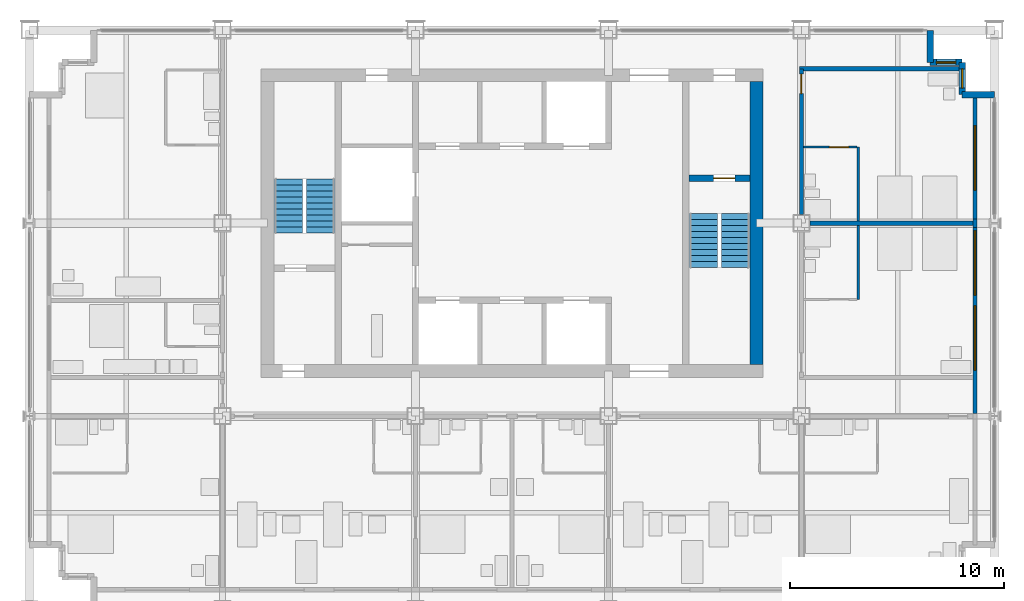
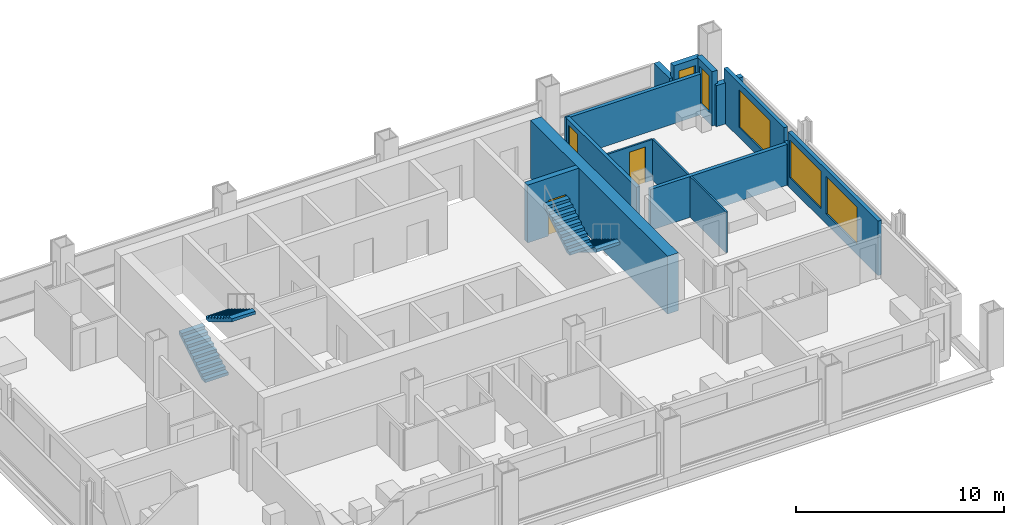
# One storey, part 10 of 13: 15 walls, 5 windows, 4 stair flights, 3 doors, 8 openings, 2 elements without a shape of their own.
"""IFC4 building model written with IfcOpenShell, lengths in metres."""

from ifc_helpers import new_model, si_unit, direction, frame, frame_2d, origin, place, context, subcontext, project, spatial, polyline, rectangle, outline, extrude, material, layer, layer_set, type_object, element, fill, aggregate, save


model = new_model("IFC4")

# Units and contexts
model_context = context("Model", 3, precision=1e-05, world=origin(), true_north=direction((0.0, 1.0)))
body_context = subcontext(model_context, "Body", "Model", "MODEL_VIEW")
ifc_project = project(units=[si_unit("LENGTHUNIT", "METRE"), si_unit("AREAUNIT", "SQUARE_METRE"), si_unit("VOLUMEUNIT", "CUBIC_METRE"), si_unit("PLANEANGLEUNIT", "RADIAN"), si_unit("MASSUNIT", "GRAM", prefix="KILO")], contexts=[model_context])

# Site, building, storey
site_placement = place(None, origin())
site = spatial("IfcSite", under=ifc_project, at=site_placement, CompositionType="ELEMENT")
building_placement = place(site_placement, origin())
building = spatial("IfcBuilding", under=site, at=building_placement, Name="Loomwork Tower", CompositionType="ELEMENT")
storey_placement = place(building_placement, frame((0.0, 0.0, 214.800048828125)))
storey = spatial("IfcBuildingStorey", under=building, at=storey_placement, Name="L59", CompositionType="ELEMENT", Elevation=214.800048828125)

# Wall, opening, door
ifc_material_1 = material(Name="Concrete 14000 psi (97 MPa)", Category="concrete")
ifc_layer_1 = layer(ifc_material_1, 0.300048828125)
ifc_layer_set_1 = layer_set([ifc_layer_1], Name="Core shear wall 300")
wall_type_1 = type_object("IfcWallType", Name="Core shear wall 300", PredefinedType="SHEAR", material=ifc_layer_set_1)
wall_1_placement = place(storey_placement, frame((30.75, 20.10009765625, 0.0), z_axis=(0.0, 0.0, 1.0), x_axis=(1.0, 0.0, 0.0)))
wall_1 = element("IfcWall", 1, at=wall_1_placement, inside=storey, type_object=wall_type_1, Name="Stair B north wall L59", PredefinedType="SHEAR", context=body_context, shape_type="SweptSolid", body=[
    extrude(rectangle(XDim=2.85009765625, YDim=0.300048828125, at=frame_2d((1.425048828125, 0.0))), origin(), (0.0, 0.0, 1.0), 3.39990234375),
])
opening_1_placement = place(wall_1_placement, frame((1.14990234375, 0.0, 0.0)))
opening_1 = element("IfcOpeningElement", 2, at=opening_1_placement, cuts=wall_1, Name="Opening D4", PredefinedType="OPENING", context=body_context, shape_type="SweptSolid", body=[
    extrude(rectangle(XDim=1.0, YDim=2.10009765625, at=frame_2d((0.5, 1.050048828125))), frame((0.0, 0.159912109375, 0.0), z_axis=(0.0, -1.0, 0.0), x_axis=(1.0, 0.0, 0.0)), (0.0, 0.0, 1.0), 0.320068359375),
])
ifc_material_2 = material(Name="Hollow metal door and frame")
door_type_1 = type_object("IfcDoorType", Name="Stair door 1000", OperationType="SINGLE_SWING_RIGHT", PredefinedType="DOOR", material=ifc_material_2)
door_1_placement = place(opening_1_placement, frame((1.0, 0.0, 0.0), z_axis=(0.0, 0.0, 1.0), x_axis=(-1.0, 0.0, 0.0)))
door_1 = element("IfcDoor", 3, at=door_1_placement, inside=storey, type_object=door_type_1, Name="Stair B door", OperationType="SINGLE_SWING_LEFT", OverallHeight=2.10009765625, OverallWidth=1.0, PredefinedType="DOOR", context=body_context, shape_type="SweptSolid", body=[
    extrude(rectangle(XDim=1.0, YDim=2.10009765625, at=frame_2d((0.5, 1.050048828125))), frame((0.0, 0.02490234375, 0.0), z_axis=(0.0, -1.0, 0.0), x_axis=(1.0, 0.0, 0.0)), (0.0, 0.0, 1.0), 0.050048828125),
])
fill(opening_1, door_1)

# Wall
ifc_material_3 = material(Name="Concrete 14000 psi (97 MPa)", Category="concrete")
ifc_layer_2 = layer(ifc_material_3, 0.60009765625)
ifc_layer_set_2 = layer_set([ifc_layer_2], Name="Core shear wall 600")
wall_type_2 = type_object("IfcWallType", Name="Core shear wall 600", PredefinedType="SHEAR", material=ifc_layer_set_2)
wall_2_placement = place(storey_placement, frame((33.89990234375, 11.39990234375, 0.0), z_axis=(0.0, 0.0, 1.0), x_axis=(0.0, 1.0, 0.0)))
element("IfcWall", 4, at=wall_2_placement, inside=storey, type_object=wall_type_2, Name="Core wall east L59", PredefinedType="SHEAR", context=body_context, shape_type="SweptSolid", body=[
    extrude(rectangle(XDim=13.2001953125, YDim=0.60009765625, at=frame_2d((6.60009765625, 0.0))), origin(), (0.0, 0.0, 1.0), 3.39990234375),
])

# Wall, opening, door
ifc_material_4 = material(Name="Gypsum board on steel studs, one-hour", Category="steel")
ifc_layer_3 = layer(ifc_material_4, 0.199951171875)
ifc_layer_set_3 = layer_set([ifc_layer_3], Name="Corridor wall 200")
wall_type_3 = type_object("IfcWallType", Name="Corridor wall 200", PredefinedType="PARTITIONING", material=ifc_layer_set_3)
wall_3_placement = place(storey_placement, frame((36.0, 18.39990234375, 0.0), z_axis=(0.0, 0.0, 1.0), x_axis=(0.0, 1.0, 0.0)))
wall_3 = element("IfcWall", 5, at=wall_3_placement, inside=storey, type_object=wall_type_3, Name="East corridor wall 2", PredefinedType="PARTITIONING", context=body_context, shape_type="SweptSolid", body=[
    extrude(rectangle(XDim=6.800048828125, YDim=0.199951171875, at=frame_2d((3.39990234375, 0.0))), origin(), (0.0, 0.0, 1.0), 2.405029296875),
])
opening_2_placement = place(wall_3_placement, frame((5.64990234375, 0.0, 0.0)))
opening_2 = element("IfcOpeningElement", 6, at=opening_2_placement, cuts=wall_3, Name="Opening D1", PredefinedType="OPENING", context=body_context, shape_type="SweptSolid", body=[
    extrude(rectangle(XDim=0.89990234375, YDim=2.10009765625, at=frame_2d((0.449951171875, 1.050048828125))), frame((0.0, 0.10986328125, 0.0), z_axis=(0.0, -1.0, 0.0), x_axis=(1.0, 0.0, 0.0)), (0.0, 0.0, 1.0), 0.219970703125),
])
ifc_material_5 = material(Name="Hollow metal door and frame")
door_type_2 = type_object("IfcDoorType", Name="Guest room entry door 900", OperationType="SINGLE_SWING_LEFT", PredefinedType="DOOR", material=ifc_material_5)
door_2_placement = place(opening_2_placement, frame((0.89990234375, 0.0, 0.0), z_axis=(0.0, 0.0, 1.0), x_axis=(-1.0, 0.0, 0.0)))
door_2 = element("IfcDoor", 7, at=door_2_placement, inside=storey, type_object=door_type_2, Name="Guest room entry door L59 10", OperationType="SINGLE_SWING_LEFT", OverallHeight=2.10009765625, OverallWidth=0.89990234375, PredefinedType="DOOR", context=body_context, shape_type="SweptSolid", body=[
    extrude(rectangle(XDim=0.89990234375, YDim=2.10009765625, at=frame_2d((0.449951171875, 1.050048828125))), frame((0.0, 0.02490234375, 0.0), z_axis=(0.0, -1.0, 0.0), x_axis=(1.0, 0.0, 0.0)), (0.0, 0.0, 1.0), 0.050048828125),
])
fill(opening_2, door_2)

# Walls
wall_4_placement = place(storey_placement, frame((35.89990234375, 25.199951171875, 0.0), z_axis=(0.0, 0.0, 1.0), x_axis=(1.0, 0.0, 0.0)))
element("IfcWall", 8, at=wall_4_placement, inside=storey, type_object=wall_type_3, Name="East band end wall N", PredefinedType="PARTITIONING", context=body_context, shape_type="SweptSolid", body=[
    extrude(rectangle(XDim=7.4501953125, YDim=0.199951171875, at=frame_2d((3.72509765625, 0.0))), origin(), (0.0, 0.0, 1.0), 2.404052734375),
])
ifc_material_6 = material(Name="Cement board on steel studs", Category="steel")
ifc_layer_4 = layer(ifc_material_6, 0.10009765625)
ifc_layer_set_4 = layer_set([ifc_layer_4], Name="En-suite partition 100")
wall_type_4 = type_object("IfcWallType", Name="En-suite partition 100", PredefinedType="PARTITIONING", material=ifc_layer_set_4)
for number, where, z_axis, x_axis, name in (
    (9, (38.64990234375, 14.449951171875, 0.0), (0.0, 0.0, 1.0), (0.0, 1.0, 0.0), "En-suite wall L59 room 9"),
    (10, (38.64990234375, 18.10009765625, 0.0), (0.0, 0.0, 1.0), (0.0, 1.0, 0.0), "En-suite wall L59 room 10"),
):
    element("IfcWall", number, at=place(storey_placement, frame(where, z_axis=z_axis, x_axis=x_axis)), inside=storey, type_object=wall_type_4, Name=name, PredefinedType="PARTITIONING", context=body_context, shape_type="SweptSolid", body=[
        extrude(rectangle(XDim=3.449951171875, YDim=0.10009765625, at=frame_2d((1.72509765625, 0.0))), origin(), (0.0, 0.0, 1.0), 2.404052734375),
    ])

# Wall, opening, door
wall_5_placement = place(storey_placement, frame((36.10009765625, 21.550048828125, 0.0), z_axis=(0.0, 0.0, 1.0), x_axis=(1.0, 0.0, 0.0)))
wall_5 = element("IfcWall", 11, at=wall_5_placement, inside=storey, type_object=wall_type_4, Name="En-suite side wall L59 room 10", PredefinedType="PARTITIONING", context=body_context, shape_type="SweptSolid", body=[
    extrude(rectangle(XDim=2.5, YDim=0.10009765625, at=frame_2d((1.25, 0.0))), origin(), (0.0, 0.0, 1.0), 2.404052734375),
])
opening_3_placement = place(wall_5_placement, frame((1.199951171875, 0.0, 0.0)))
opening_3 = element("IfcOpeningElement", 12, at=opening_3_placement, cuts=wall_5, Name="Opening D2", PredefinedType="OPENING", context=body_context, shape_type="SweptSolid", body=[
    extrude(rectangle(XDim=0.89990234375, YDim=2.10009765625, at=frame_2d((0.449951171875, 1.050048828125))), frame((0.0, 0.06005859375, 0.0), z_axis=(0.0, -1.0, 0.0), x_axis=(1.0, 0.0, 0.0)), (0.0, 0.0, 1.0), 0.1201171875),
])
ifc_material_7 = material(Name="Hollow metal door and frame")
door_type_3 = type_object("IfcDoorType", Name="En-suite door 900", OperationType="SINGLE_SWING_LEFT", PredefinedType="DOOR", material=ifc_material_7)
door_3_placement = place(opening_3_placement, frame((0.89990234375, 0.0, 0.0), z_axis=(0.0, 0.0, 1.0), x_axis=(-1.0, 0.0, 0.0)))
door_3 = element("IfcDoor", 13, at=door_3_placement, inside=storey, type_object=door_type_3, Name="En-suite door room 10", OperationType="SINGLE_SWING_LEFT", OverallHeight=2.10009765625, OverallWidth=0.89990234375, PredefinedType="DOOR", context=body_context, shape_type="SweptSolid", body=[
    extrude(rectangle(XDim=0.89990234375, YDim=2.10009765625, at=frame_2d((0.449951171875, 1.050048828125))), frame((0.0, 0.02490234375, 0.0), z_axis=(0.0, -1.0, 0.0), x_axis=(1.0, 0.0, 0.0)), (0.0, 0.0, 1.0), 0.050048828125),
])
fill(opening_3, door_3)

# Wall
ifc_material_8 = material(Name="Gypsum board on steel studs, acoustic", Category="steel")
ifc_layer_5 = layer(ifc_material_8, 0.199951171875)
ifc_layer_set_5 = layer_set([ifc_layer_5], Name="Guest room party wall 200")
wall_type_5 = type_object("IfcWallType", Name="Guest room party wall 200", PredefinedType="PARTITIONING", material=ifc_layer_set_5)
wall_6_placement = place(storey_placement, frame((36.39990234375, 18.0, 0.0), z_axis=(0.0, 0.0, 1.0), x_axis=(1.0, 0.0, 0.0)))
element("IfcWall", 14, at=wall_6_placement, inside=storey, type_object=wall_type_5, Name="Guest room party wall E 18", PredefinedType="PARTITIONING", context=body_context, shape_type="SweptSolid", body=[
    extrude(rectangle(XDim=7.60009765625, YDim=0.199951171875, at=frame_2d((3.800048828125, 0.0))), origin(), (0.0, 0.0, 1.0), 2.405029296875),
])

# Wall, openings, windows
ifc_material_9 = material(Name="Insulated steel stud wall with gypsum lining", Category="steel")
ifc_layer_6 = layer(ifc_material_9, 0.199951171875)
ifc_layer_set_6 = layer_set([ifc_layer_6], Name="Inner skin wall 200")
wall_type_6 = type_object("IfcWallType", Name="Inner skin wall 200", PredefinedType="SOLIDWALL", material=ifc_layer_set_6)
wall_7_placement = place(storey_placement, frame((44.10009765625, 9.13525390625, 0.0), z_axis=(0.0, 0.0, 1.0), x_axis=(0.0, 1.0, 0.0)))
wall_7 = element("IfcWall", 15, at=wall_7_placement, inside=storey, type_object=wall_type_6, Name="Inner skin wall E bay 5", PredefinedType="SOLIDWALL", context=body_context, shape_type="SweptSolid", body=[
    extrude(rectangle(XDim=8.6708984375, YDim=0.199951171875, at=frame_2d((4.33544921875, 0.0))), origin(), (0.0, 0.0, 1.0), 3.199951171875),
])
opening_4_placement = place(wall_7_placement, frame((2.0146484375, 0.0, 0.60009765625)))
opening_4 = element("IfcOpeningElement", 16, at=opening_4_placement, cuts=wall_7, Name="Opening CH1", PredefinedType="OPENING", context=body_context, shape_type="SweptSolid", body=[
    extrude(rectangle(XDim=3.0, YDim=2.199951171875, at=frame_2d((1.5, 1.10009765625))), frame((0.0, 0.10986328125, 0.0), z_axis=(0.0, -1.0, 0.0), x_axis=(1.0, 0.0, 0.0)), (0.0, 0.0, 1.0), 0.219970703125),
])
opening_5_placement = place(wall_7_placement, frame((5.5146484375, 0.0, 0.60009765625)))
opening_5 = element("IfcOpeningElement", 17, at=opening_5_placement, cuts=wall_7, Name="Opening CH1", PredefinedType="OPENING", context=body_context, shape_type="SweptSolid", body=[
    extrude(rectangle(XDim=3.0, YDim=2.199951171875, at=frame_2d((1.5, 1.10009765625))), frame((0.0, 0.10986328125, 0.0), z_axis=(0.0, -1.0, 0.0), x_axis=(1.0, 0.0, 0.0)), (0.0, 0.0, 1.0), 0.219970703125),
])
ifc_material_10 = material(Name="Aluminium frame with clear insulated glass", Category="aluminium")
window_type_1 = type_object("IfcWindowType", Name="Chicago window 3000", PartitioningType="TRIPLE_PANEL_VERTICAL", PredefinedType="WINDOW", material=ifc_material_10)
window_1_placement = place(opening_4_placement, origin())
window_1 = element("IfcWindow", 18, at=window_1_placement, inside=storey, type_object=window_type_1, Name="Chicago window L59 bay 8", OverallHeight=2.199951171875, OverallWidth=3.0, PartitioningType="TRIPLE_PANEL_VERTICAL", PredefinedType="WINDOW", context=body_context, shape_type="SweptSolid", body=[
    extrude(rectangle(XDim=3.0, YDim=2.199951171875, at=frame_2d((1.5, 1.10009765625))), frame((0.0, 0.030029296875, 0.0), z_axis=(0.0, -1.0, 0.0), x_axis=(1.0, 0.0, 0.0)), (0.0, 0.0, 1.0), 0.06005859375),
])
fill(opening_4, window_1)
window_2_placement = place(opening_5_placement, origin())
window_2 = element("IfcWindow", 19, at=window_2_placement, inside=storey, type_object=window_type_1, Name="Chicago window L59 bay 8", OverallHeight=2.199951171875, OverallWidth=3.0, PartitioningType="TRIPLE_PANEL_VERTICAL", PredefinedType="WINDOW", context=body_context, shape_type="SweptSolid", body=[
    extrude(rectangle(XDim=3.0, YDim=2.199951171875, at=frame_2d((1.5, 1.10009765625))), frame((0.0, 0.030029296875, 0.0), z_axis=(0.0, -1.0, 0.0), x_axis=(1.0, 0.0, 0.0)), (0.0, 0.0, 1.0), 0.06005859375),
])
fill(opening_5, window_2)

# Wall
wall_8_placement = place(storey_placement, frame((44.10009765625, 17.80615234375, 0.0), z_axis=(0.0, 0.0, 1.0), x_axis=(0.0, 1.0, 0.0)))
element("IfcWall", 20, at=wall_8_placement, inside=storey, type_object=wall_type_6, Name="Inner skin wall E bay 6", PredefinedType="SOLIDWALL", context=body_context, shape_type="SweptSolid", body=[
    extrude(rectangle(XDim=0.3876953125, YDim=0.199951171875, at=frame_2d((0.19384765625, 0.0))), origin(), (0.0, 0.0, 1.0), 2.404052734375),
])

# Wall, opening, window
wall_9_placement = place(storey_placement, frame((44.10009765625, 18.19384765625, 0.0), z_axis=(0.0, 0.0, 1.0), x_axis=(0.0, 1.0, 0.0)))
wall_9 = element("IfcWall", 21, at=wall_9_placement, inside=storey, type_object=wall_type_6, Name="Inner skin wall E bay 7", PredefinedType="SOLIDWALL", context=body_context, shape_type="SweptSolid", body=[
    extrude(rectangle(XDim=5.80615234375, YDim=0.199951171875, at=frame_2d((2.903076171875, 0.0))), origin(), (0.0, 0.0, 1.0), 3.199951171875),
])
opening_6_placement = place(wall_9_placement, frame((1.356201171875, 0.0, 0.60009765625)))
opening_6 = element("IfcOpeningElement", 22, at=opening_6_placement, cuts=wall_9, Name="Opening CH1", PredefinedType="OPENING", context=body_context, shape_type="SweptSolid", body=[
    extrude(rectangle(XDim=3.0, YDim=2.199951171875, at=frame_2d((1.5, 1.10009765625))), frame((0.0, 0.10986328125, 0.0), z_axis=(0.0, -1.0, 0.0), x_axis=(1.0, 0.0, 0.0)), (0.0, 0.0, 1.0), 0.219970703125),
])
window_3_placement = place(opening_6_placement, origin())
window_3 = element("IfcWindow", 23, at=window_3_placement, inside=storey, type_object=window_type_1, Name="Chicago window L59 bay 9", OverallHeight=2.199951171875, OverallWidth=3.0, PartitioningType="TRIPLE_PANEL_VERTICAL", PredefinedType="WINDOW", context=body_context, shape_type="SweptSolid", body=[
    extrude(rectangle(XDim=3.0, YDim=2.199951171875, at=frame_2d((1.5, 1.10009765625))), frame((0.0, 0.030029296875, 0.0), z_axis=(0.0, -1.0, 0.0), x_axis=(1.0, 0.0, 0.0)), (0.0, 0.0, 1.0), 0.06005859375),
])
fill(opening_6, window_3)

# Wall
ifc_material_11 = material(Name="Limestone on concrete masonry", Category="masonry")
ifc_layer_7 = layer(ifc_material_11, 0.300048828125)
ifc_layer_set_7 = layer_set([ifc_layer_7], Name="Limestone corner wall 300")
wall_type_7 = type_object("IfcWallType", Name="Limestone corner wall 300", PredefinedType="SOLIDWALL", material=ifc_layer_set_7)
wall_10_placement = place(storey_placement, frame((45.0, 24.0, 0.0), z_axis=(0.0, 0.0, 1.0), x_axis=(-1.0, 0.0, 0.0)))
element("IfcWall", 24, at=wall_10_placement, inside=storey, type_object=wall_type_7, Name="Stone corner wall NE 1", PredefinedType="SOLIDWALL", context=body_context, shape_type="SweptSolid", body=[
    extrude(rectangle(XDim=1.5, YDim=0.300048828125, at=frame_2d((0.75, 0.0))), origin(), (0.0, 0.0, 1.0), 2.419921875),
])

# Wall, opening, window
wall_11_placement = place(storey_placement, frame((43.5, 24.0, 0.0), z_axis=(0.0, 0.0, 1.0), x_axis=(0.0, 1.0, 0.0)))
wall_11 = element("IfcWall", 25, at=wall_11_placement, inside=storey, type_object=wall_type_7, Name="Stone corner wall NE 2", PredefinedType="SOLIDWALL", context=body_context, shape_type="SweptSolid", body=[
    extrude(rectangle(XDim=1.5, YDim=0.300048828125, at=frame_2d((0.75, 0.0))), origin(), (0.0, 0.0, 1.0), 3.199951171875),
])
opening_7_placement = place(wall_11_placement, frame((0.300048828125, 0.0, 0.60009765625)))
opening_7 = element("IfcOpeningElement", 26, at=opening_7_placement, cuts=wall_11, Name="Opening CH2", PredefinedType="OPENING", context=body_context, shape_type="SweptSolid", body=[
    extrude(rectangle(XDim=0.89990234375, YDim=2.199951171875, at=frame_2d((0.449951171875, 1.10009765625))), frame((0.0, 0.159912109375, 0.0), z_axis=(0.0, -1.0, 0.0), x_axis=(1.0, 0.0, 0.0)), (0.0, 0.0, 1.0), 0.320068359375),
])
ifc_material_12 = material(Name="Aluminium frame with clear insulated glass", Category="aluminium")
window_type_2 = type_object("IfcWindowType", Name="Corner window 900", PartitioningType="SINGLE_PANEL", PredefinedType="WINDOW", material=ifc_material_12)
window_4_placement = place(opening_7_placement, origin())
window_4 = element("IfcWindow", 27, at=window_4_placement, inside=storey, type_object=window_type_2, Name="Corner window NE", OverallHeight=2.199951171875, OverallWidth=0.89990234375, PartitioningType="SINGLE_PANEL", PredefinedType="WINDOW", context=body_context, shape_type="SweptSolid", body=[
    extrude(rectangle(XDim=0.89990234375, YDim=2.199951171875, at=frame_2d((0.449951171875, 1.10009765625))), frame((0.0, 0.030029296875, 0.0), z_axis=(0.0, -1.0, 0.0), x_axis=(1.0, 0.0, 0.0)), (0.0, 0.0, 1.0), 0.06005859375),
])
fill(opening_7, window_4)

wall_12_placement = place(storey_placement, frame((43.5, 25.5, 0.0), z_axis=(0.0, 0.0, 1.0), x_axis=(-1.0, 0.0, 0.0)))
wall_12 = element("IfcWall", 28, at=wall_12_placement, inside=storey, type_object=wall_type_7, Name="Stone corner wall NE 3", PredefinedType="SOLIDWALL", context=body_context, shape_type="SweptSolid", body=[
    extrude(rectangle(XDim=1.5, YDim=0.300048828125, at=frame_2d((0.75, 0.0))), origin(), (0.0, 0.0, 1.0), 3.199951171875),
])
opening_8_placement = place(wall_12_placement, frame((0.300048828125, 0.0, 0.60009765625)))
opening_8 = element("IfcOpeningElement", 29, at=opening_8_placement, cuts=wall_12, Name="Opening CH2", PredefinedType="OPENING", context=body_context, shape_type="SweptSolid", body=[
    extrude(rectangle(XDim=0.89990234375, YDim=2.199951171875, at=frame_2d((0.449951171875, 1.10009765625))), frame((0.0, 0.159912109375, 0.0), z_axis=(0.0, -1.0, 0.0), x_axis=(1.0, 0.0, 0.0)), (0.0, 0.0, 1.0), 0.320068359375),
])
window_5_placement = place(opening_8_placement, origin())
window_5 = element("IfcWindow", 30, at=window_5_placement, inside=storey, type_object=window_type_2, Name="Corner window NE", OverallHeight=2.199951171875, OverallWidth=0.89990234375, PartitioningType="SINGLE_PANEL", PredefinedType="WINDOW", context=body_context, shape_type="SweptSolid", body=[
    extrude(rectangle(XDim=0.89990234375, YDim=2.199951171875, at=frame_2d((0.449951171875, 1.10009765625))), frame((0.0, 0.030029296875, 0.0), z_axis=(0.0, -1.0, 0.0), x_axis=(1.0, 0.0, 0.0)), (0.0, 0.0, 1.0), 0.06005859375),
])
fill(opening_8, window_5)

# Wall
wall_13_placement = place(storey_placement, frame((42.0, 25.5, 0.0), z_axis=(0.0, 0.0, 1.0), x_axis=(0.0, 1.0, 0.0)))
element("IfcWall", 31, at=wall_13_placement, inside=storey, type_object=wall_type_7, Name="Stone corner wall NE 4", PredefinedType="SOLIDWALL", context=body_context, shape_type="SweptSolid", body=[
    extrude(rectangle(XDim=1.5, YDim=0.300048828125, at=frame_2d((0.75, 0.0))), origin(), (0.0, 0.0, 1.0), 2.419921875),
])

# Stair, stair flights
ifc_material_13 = material(Name="Concrete 5000 psi (34 MPa) precast stair", Category="concrete")
stair_type_1 = type_object("IfcStairType", Name="Stair ST-A 20 risers 2850 wide", PredefinedType="HALF_TURN_STAIR", material=ifc_material_13)
stair_1_placement = place(storey_placement, origin())
stair_1 = element("IfcStair", 32, at=stair_1_placement, inside=storey, type_object=stair_type_1, Name="Stair A L59", PredefinedType="HALF_TURN_STAIR")
ifc_material_14 = material(Name="Concrete 5000 psi (34 MPa) precast stair", Category="concrete")
stair_flight_type_1 = type_object("IfcStairFlightType", Name="Stair flight ST-A 10 risers 1300 wide", PredefinedType="STRAIGHT", material=ifc_material_14)
stair_flight_1_placement = place(storey_placement, frame((12.074951171875, 17.550048828125, 0.0), z_axis=(0.0, 0.0, 1.0), x_axis=(0.0, 1.0, 0.0)))
stair_flight_1 = element("IfcStairFlight", 33, at=stair_flight_1_placement, type_object=stair_flight_type_1, Name="ST-A flight 1", NumberOfRisers=10, NumberOfTreads=9, PredefinedType="STRAIGHT", RiserHeight=0.17, TreadLength=0.28, context=body_context, shape_type="SweptSolid", body=[
    extrude(outline(polyline([(0.0, 0.0), (0.0, 0.169921875), (0.280029296875, 0.169921875), (0.280029296875, 0.340087890625), (0.56005859375, 0.340087890625), (0.56005859375, 0.510009765625), (0.840087890625, 0.510009765625), (0.840087890625, 0.679931640625), (1.1201171875, 0.679931640625), (1.1201171875, 0.85009765625), (1.39990234375, 0.85009765625), (1.39990234375, 1.02001953125), (1.679931640625, 1.02001953125), (1.679931640625, 1.18994140625), (1.9599609375, 1.18994140625), (1.9599609375, 1.360107421875), (2.239990234375, 1.360107421875), (2.239990234375, 1.530029296875), (2.52001953125, 1.530029296875), (2.52001953125, 1.699951171875), (2.52001953125, 1.354736328125), (0.288818359375, 0.0), (0.0, 0.0)])), frame((0.0, 0.64990234375, 0.0), z_axis=(0.0, -1.0, 0.0), x_axis=(1.0, 0.0, 0.0)), (0.0, 0.0, 1.0), 1.300048828125),
])
stair_flight_2_placement = place(storey_placement, frame((13.574951171875, 20.070068359375, 1.699951171875), z_axis=(0.0, 0.0, 1.0), x_axis=(0.0, -1.0, 0.0)))
stair_flight_2 = element("IfcStairFlight", 34, at=stair_flight_2_placement, type_object=stair_flight_type_1, Name="ST-A flight 2", NumberOfRisers=10, NumberOfTreads=9, PredefinedType="STRAIGHT", RiserHeight=0.17, TreadLength=0.28, context=body_context, shape_type="SweptSolid", body=[
    extrude(outline(polyline([(0.0, 0.0), (0.0, 0.169921875), (0.280029296875, 0.169921875), (0.280029296875, 0.340087890625), (0.56005859375, 0.340087890625), (0.56005859375, 0.510009765625), (0.840087890625, 0.510009765625), (0.840087890625, 0.679931640625), (1.1201171875, 0.679931640625), (1.1201171875, 0.85009765625), (1.39990234375, 0.85009765625), (1.39990234375, 1.02001953125), (1.679931640625, 1.02001953125), (1.679931640625, 1.18994140625), (1.9599609375, 1.18994140625), (1.9599609375, 1.360107421875), (2.239990234375, 1.360107421875), (2.239990234375, 1.530029296875), (2.52001953125, 1.530029296875), (2.52001953125, 1.699951171875), (2.52001953125, 1.354736328125), (0.288818359375, 0.0), (0.0, 0.0)])), frame((0.0, 0.64990234375, 0.0), z_axis=(0.0, -1.0, 0.0), x_axis=(1.0, 0.0, 0.0)), (0.0, 0.0, 1.0), 1.300048828125),
])
aggregate(stair_1, [stair_flight_1, stair_flight_2])

ifc_material_15 = material(Name="Concrete 5000 psi (34 MPa) precast stair", Category="concrete")
stair_type_2 = type_object("IfcStairType", Name="Stair ST-B 20 risers 2850 wide", PredefinedType="HALF_TURN_STAIR", material=ifc_material_15)
stair_2_placement = place(storey_placement, origin())
stair_2 = element("IfcStair", 35, at=stair_2_placement, inside=storey, type_object=stair_type_2, Name="Stair B L59", PredefinedType="HALF_TURN_STAIR")
ifc_material_16 = material(Name="Concrete 5000 psi (34 MPa) precast stair", Category="concrete")
stair_flight_type_2 = type_object("IfcStairFlightType", Name="Stair flight ST-B 10 risers 1300 wide", PredefinedType="STRAIGHT", material=ifc_material_16)
stair_flight_3_placement = place(storey_placement, frame((32.925048828125, 18.449951171875, 0.0), z_axis=(0.0, 0.0, 1.0), x_axis=(0.0, -1.0, 0.0)))
stair_flight_3 = element("IfcStairFlight", 36, at=stair_flight_3_placement, type_object=stair_flight_type_2, Name="ST-B flight 1", NumberOfRisers=10, NumberOfTreads=9, PredefinedType="STRAIGHT", RiserHeight=0.17, TreadLength=0.28, context=body_context, shape_type="SweptSolid", body=[
    extrude(outline(polyline([(0.0, 0.0), (0.0, 0.169921875), (0.280029296875, 0.169921875), (0.280029296875, 0.340087890625), (0.56005859375, 0.340087890625), (0.56005859375, 0.510009765625), (0.840087890625, 0.510009765625), (0.840087890625, 0.679931640625), (1.1201171875, 0.679931640625), (1.1201171875, 0.85009765625), (1.39990234375, 0.85009765625), (1.39990234375, 1.02001953125), (1.679931640625, 1.02001953125), (1.679931640625, 1.18994140625), (1.9599609375, 1.18994140625), (1.9599609375, 1.360107421875), (2.239990234375, 1.360107421875), (2.239990234375, 1.530029296875), (2.52001953125, 1.530029296875), (2.52001953125, 1.699951171875), (2.52001953125, 1.354736328125), (0.288818359375, 0.0), (0.0, 0.0)])), frame((0.0, 0.64990234375, 0.0), z_axis=(0.0, -1.0, 0.0), x_axis=(1.0, 0.0, 0.0)), (0.0, 0.0, 1.0), 1.300048828125),
])
stair_flight_4_placement = place(storey_placement, frame((31.425048828125, 15.929931640625, 1.699951171875), z_axis=(0.0, 0.0, 1.0), x_axis=(0.0, 1.0, 0.0)))
stair_flight_4 = element("IfcStairFlight", 37, at=stair_flight_4_placement, type_object=stair_flight_type_2, Name="ST-B flight 2", NumberOfRisers=10, NumberOfTreads=9, PredefinedType="STRAIGHT", RiserHeight=0.17, TreadLength=0.28, context=body_context, shape_type="SweptSolid", body=[
    extrude(outline(polyline([(0.0, 0.0), (0.0, 0.169921875), (0.280029296875, 0.169921875), (0.280029296875, 0.340087890625), (0.56005859375, 0.340087890625), (0.56005859375, 0.510009765625), (0.840087890625, 0.510009765625), (0.840087890625, 0.679931640625), (1.1201171875, 0.679931640625), (1.1201171875, 0.85009765625), (1.39990234375, 0.85009765625), (1.39990234375, 1.02001953125), (1.679931640625, 1.02001953125), (1.679931640625, 1.18994140625), (1.9599609375, 1.18994140625), (1.9599609375, 1.360107421875), (2.239990234375, 1.360107421875), (2.239990234375, 1.530029296875), (2.52001953125, 1.530029296875), (2.52001953125, 1.699951171875), (2.52001953125, 1.354736328125), (0.288818359375, 0.0), (0.0, 0.0)])), frame((0.0, 0.64990234375, 0.0), z_axis=(0.0, -1.0, 0.0), x_axis=(1.0, 0.0, 0.0)), (0.0, 0.0, 1.0), 1.300048828125),
])
aggregate(stair_2, [stair_flight_3, stair_flight_4])

save(model, "model.ifc")
